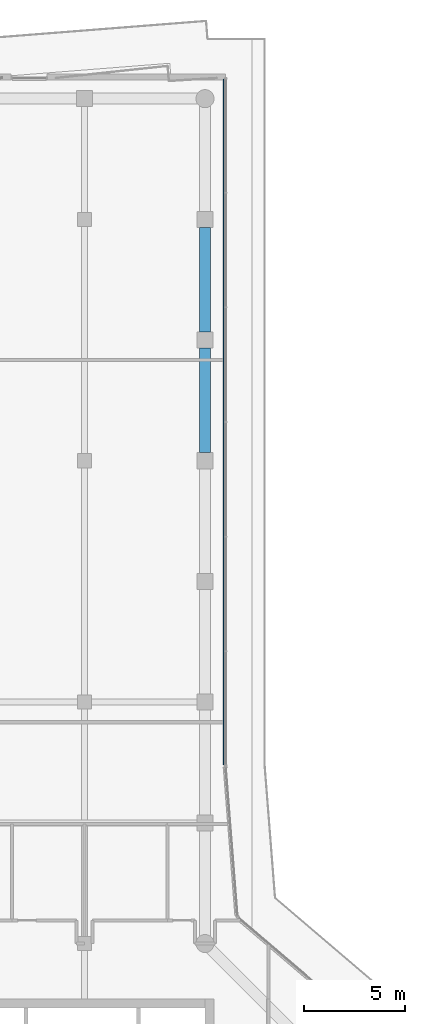
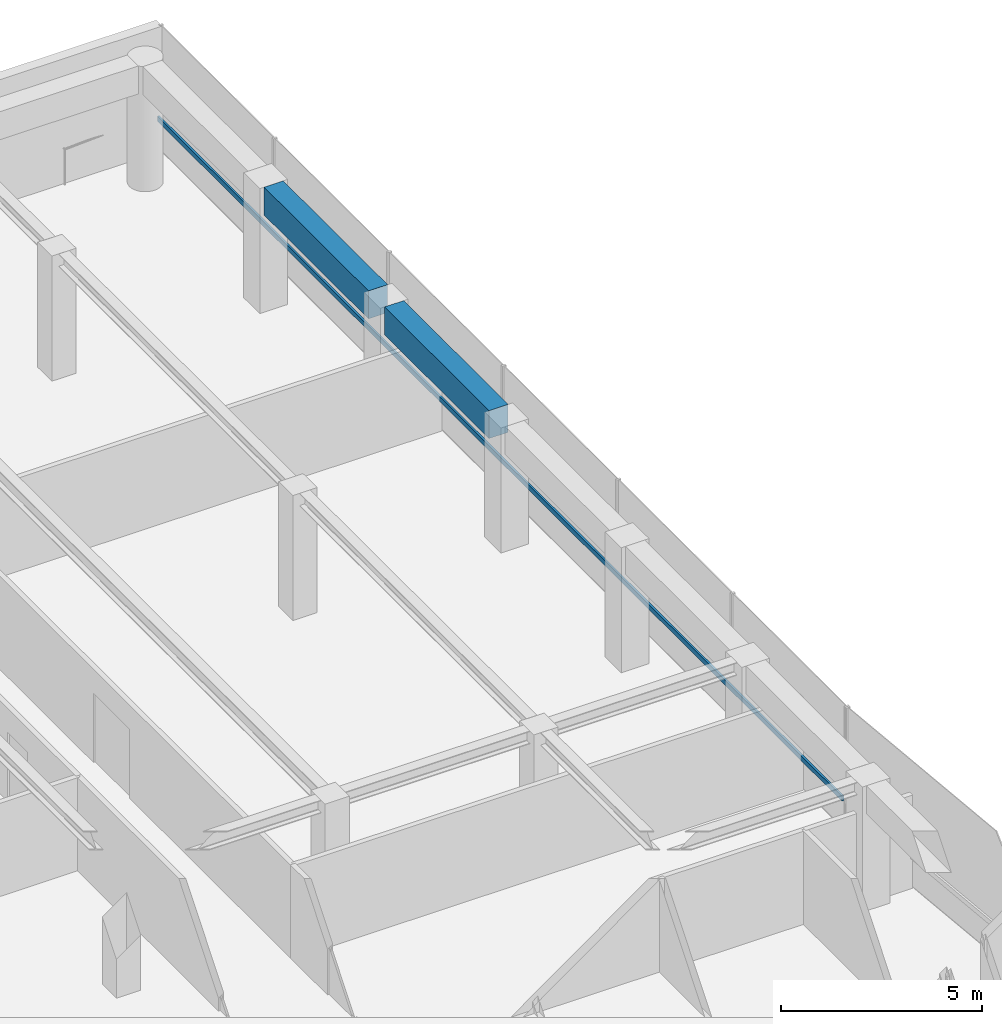
# One storey, part 15 of 23: 2 beams, 1 member, 1 element without a shape of its own.
"""IFC4 building model written with IfcOpenShell, lengths in metres."""

from ifc_helpers import new_model, si_unit, direction, frame, origin, origin_2d, place, context, subcontext, project, spatial, rectangle, extrude, material, layer, layer_set, material_profile, profile_set, type_object, element, aggregate, save


model = new_model("IFC4")

# Units and contexts
model_context = context("Model", 3, precision=1e-05, world=origin(), true_north=direction((0.0, 1.0)))
body_context = subcontext(model_context, "Body", "Model", "MODEL_VIEW")
ifc_project = project(units=[si_unit("LENGTHUNIT", "METRE"), si_unit("AREAUNIT", "SQUARE_METRE"), si_unit("VOLUMEUNIT", "CUBIC_METRE"), si_unit("PLANEANGLEUNIT", "RADIAN"), si_unit("MASSUNIT", "GRAM", prefix="KILO")], contexts=[model_context])

# Site, building, storey
site_placement = place(None, origin())
site = spatial("IfcSite", under=ifc_project, at=site_placement, CompositionType="ELEMENT")
building_placement = place(site_placement, origin())
building = spatial("IfcBuilding", under=site, at=building_placement, Name="Welwitschia Terrace Campus", CompositionType="ELEMENT")
storey_placement = place(building_placement, frame((0.0, 0.0, 209.60009765625)))
storey = spatial("IfcBuildingStorey", under=building, at=storey_placement, Name="L46", CompositionType="ELEMENT", Elevation=209.60009765625)

# Beams
ifc_material_1 = material(Name="Concrete C50/60", Category="concrete")
ifc_material_profile_1 = material_profile(ifc_material_1, rectangle(XDim=0.550048828125, YDim=0.85009765625, at=origin_2d()))
ifc_profile_set_1 = profile_set([ifc_material_profile_1], Name="Concrete C50/60")
beam_type = type_object("IfcBeamType", Name="Ring spandrel 550x850", PredefinedType="SPANDREL", material=ifc_profile_set_1)
for number, where, z_axis, x_axis, name in (
    (1, (24.0, 52.400390625, 3.375), (0.0, 1.0, 0.0), (-1.0, 0.0, 0.0), "Spandrel SP3"),
    (2, (24.0, 58.400390625, 3.375), (0.0, 1.0, 0.0), (-1.0, 0.0, 0.0), "Spandrel SP3"),
):
    element("IfcBeam", number, at=place(storey_placement, frame(where, z_axis=z_axis, x_axis=x_axis)), inside=storey, type_object=beam_type, Name=name, PredefinedType="SPANDREL", context=body_context, shape_type="SweptSolid", body=[
        extrude(rectangle(XDim=0.550048828125, YDim=0.85009765625, at=origin_2d()), origin(), (0.0, 0.0, 1.0), 5.19921875),
    ])

# Curtain wall, member
ifc_material_2 = material(Name="Bronze anodised aluminium", Category="aluminium")
ifc_layer = layer(ifc_material_2, 0.1201171875)
ifc_layer_set = layer_set([ifc_layer], Name="Bronze anodised aluminium")
curtain_wall_type = type_object("IfcCurtainWallType", Name="Curtain wall CW2 tower 6000", PredefinedType="NOTDEFINED", material=ifc_layer_set)
curtain_wall_placement = place(storey_placement, origin())
curtain_wall = element("IfcCurtainWall", 3, at=curtain_wall_placement, inside=storey, type_object=curtain_wall_type, Name="CW L46.7.0", PredefinedType="NOTDEFINED")
ifc_material_3 = material(Name="Bronze anodised aluminium", Category="aluminium")
ifc_material_profile_2 = material_profile(ifc_material_3, rectangle(XDim=0.06005859375, YDim=0.14990234375, at=origin_2d()))
ifc_profile_set_2 = profile_set([ifc_material_profile_2], Name="Bronze anodised aluminium")
member_type = type_object("IfcMemberType", Name="Transom 60x150", PredefinedType="USERDEFINED", material=ifc_profile_set_2)
member_placement = place(storey_placement, frame((24.93994140625, 36.882568359375, 1.0), z_axis=(0.0, 1.0, 0.0), x_axis=(-1.0, 0.0, 0.0)))
member = element("IfcMember", 4, at=member_placement, type_object=member_type, Name="Transom L46.7.0", ObjectType="TRANSOM", PredefinedType="USERDEFINED", context=body_context, shape_type="SweptSolid", body=[
    extrude(rectangle(XDim=0.06005859375, YDim=0.14990234375, at=origin_2d()), origin(), (0.0, 0.0, 1.0), 34.08740234375),
])
aggregate(curtain_wall, [member])

save(model, "model.ifc")
